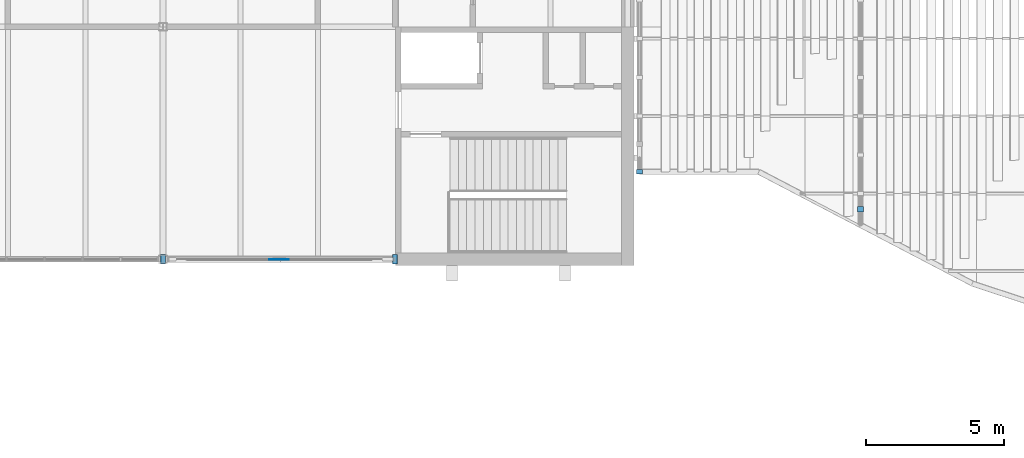
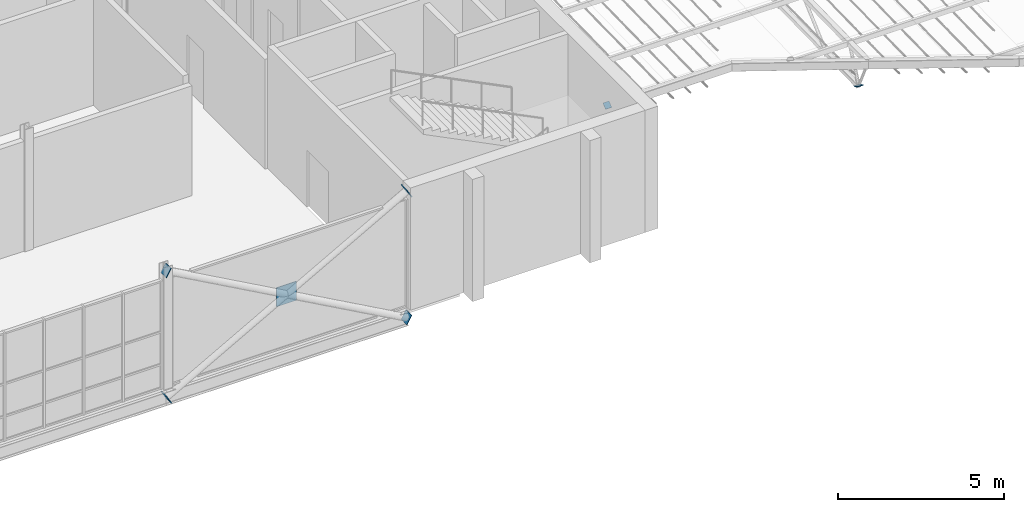
# One storey, part 99 of 129: 7 discrete accessories.
"""IFC4 building model written with IfcOpenShell, lengths in metres."""

from ifc_helpers import new_model, si_unit, direction, frame, origin, origin_2d, place, context, subcontext, project, spatial, rectangle, extrude, material, material_profile, profile_set, type_object, element, save


model = new_model("IFC4")

# Units and contexts
model_context = context("Model", 3, precision=1e-05, world=origin(), true_north=direction((0.0, 1.0)))
body_context = subcontext(model_context, "Body", "Model", "MODEL_VIEW")
ifc_project = project(units=[si_unit("LENGTHUNIT", "METRE"), si_unit("AREAUNIT", "SQUARE_METRE"), si_unit("VOLUMEUNIT", "CUBIC_METRE"), si_unit("PLANEANGLEUNIT", "RADIAN"), si_unit("MASSUNIT", "GRAM", prefix="KILO")], contexts=[model_context])

# Site, building, storey
site_placement = place(None, origin())
site = spatial("IfcSite", under=ifc_project, at=site_placement, CompositionType="ELEMENT")
building_placement = place(site_placement, origin())
building = spatial("IfcBuilding", under=site, at=building_placement, Name="Ardhachandra Cancer Care Centre", CompositionType="ELEMENT")
storey_placement = place(building_placement, frame((0.0, 0.0, 4.5)))
storey = spatial("IfcBuildingStorey", under=building, at=storey_placement, Name="L01", CompositionType="ELEMENT", Elevation=4.5)

# Discrete accessories
ifc_material_1 = material(Name="Steel E250 (IS 2062)", Category="steel")
ifc_material_profile_1 = material_profile(ifc_material_1, rectangle(XDim=0.344482421875, YDim=0.344482421875, at=origin_2d()), Name="PL 344x344x20")
ifc_profile_set_1 = profile_set([ifc_material_profile_1], Name="Steel E250 (IS 2062)")
discrete_accessory_type_1 = type_object("IfcDiscreteAccessoryType", Name="Brace end plate 344 x 344 x 20", PredefinedType="BRACKET", material=ifc_profile_set_1)
discrete_accessory_1_placement = place(storey_placement, frame((27.60009765625, 29.39990234375, -0.39990234375), z_axis=(0.876476417999, 0.0, 0.481444792985), x_axis=(0.0, 1.0, 0.0)))
element("IfcDiscreteAccessory", 1, at=discrete_accessory_1_placement, inside=storey, type_object=discrete_accessory_type_1, Name="Brace end plate V2-X294-276 L01 A0", PredefinedType="BRACKET", context=body_context, shape_type="SweptSolid", body=[
    extrude(rectangle(XDim=0.344482421875, YDim=0.344482421875, at=origin_2d()), origin(), (0.0, 0.0, 1.0), 0.019775390625),
])
for number, where, z_axis, x_axis, name in (
    (2, (36.0, 29.39990234375, 4.27197265625), (-0.874157276122, 0.0, -0.485642931179), (0.0, -1.0, 0.0), "Brace end plate V2-X294-276 L01 A1"),
    (3, (36.0, 29.39990234375, -0.39990234375), (-0.879291966537, 0.0, 0.476283148541), (0.0, -1.0, 0.0), "Brace end plate V2-X294-276 L01 B10"),
):
    element("IfcDiscreteAccessory", number, at=place(storey_placement, frame(where, z_axis=z_axis, x_axis=x_axis)), inside=storey, type_object=discrete_accessory_type_1, Name=name, PredefinedType="BRACKET", context=body_context, shape_type="SweptSolid", body=[
        extrude(rectangle(XDim=0.344482421875, YDim=0.344482421875, at=origin_2d()), origin(), (0.0, 0.0, 1.0), 0.02001953125),
    ])
discrete_accessory_2_placement = place(storey_placement, frame((27.60009765625, 29.39990234375, 4.27197265625), z_axis=(0.871247627745, 0.0, -0.490843733941), x_axis=(0.0, 1.0, 0.0)))
element("IfcDiscreteAccessory", 4, at=discrete_accessory_2_placement, inside=storey, type_object=discrete_accessory_type_1, Name="Brace end plate V2-X294-276 L01 B21", PredefinedType="BRACKET", context=body_context, shape_type="SweptSolid", body=[
    extrude(rectangle(XDim=0.344482421875, YDim=0.344482421875, at=origin_2d()), origin(), (0.0, 0.0, 1.0), 0.019775390625),
])
ifc_material_2 = material(Name="Steel E250 (IS 2062)", Category="steel")
ifc_material_profile_2 = material_profile(ifc_material_2, rectangle(XDim=0.699951171875, YDim=0.699951171875, at=origin_2d()), Name="PL 700x700x20")
ifc_profile_set_2 = profile_set([ifc_material_profile_2], Name="Steel E250 (IS 2062)")
discrete_accessory_type_2 = type_object("IfcDiscreteAccessoryType", Name="Brace node plate 700 x 700 x 20", PredefinedType="BRACKET", material=ifc_profile_set_2)
discrete_accessory_3_placement = place(storey_placement, frame((31.800048828125, 29.389892578125, 1.93603515625), z_axis=(0.0, 1.0, 0.0), x_axis=(-1.0, 0.0, 0.0)))
element("IfcDiscreteAccessory", 5, at=discrete_accessory_3_placement, inside=storey, type_object=discrete_accessory_type_2, Name="Brace node plate V2-X294-276 L01", PredefinedType="BRACKET", context=body_context, shape_type="SweptSolid", body=[
    extrude(rectangle(XDim=0.699951171875, YDim=0.699951171875, at=origin_2d()), origin(), (0.0, 0.0, 1.0), 0.02001953125),
])
ifc_material_3 = material(Name="Steel E250 (IS 2062)", Category="steel")
ifc_material_profile_3 = material_profile(ifc_material_3, rectangle(XDim=0.21435546875, YDim=0.21435546875, at=origin_2d()), Name="PL 214x214x12")
ifc_profile_set_3 = profile_set([ifc_material_profile_3], Name="Steel E250 (IS 2062)")
discrete_accessory_type_3 = type_object("IfcDiscreteAccessoryType", Name="Diagonal end plate 214 x 214 x 12", PredefinedType="BRACKET", material=ifc_profile_set_3)
discrete_accessory_4_placement = place(storey_placement, frame((44.81494140625, 32.557373046875, 2.421142578125), z_axis=(0.0, 0.644135745783, -0.764911198117), x_axis=(-1.0, 0.0, 0.0)))
element("IfcDiscreteAccessory", 6, at=discrete_accessory_4_placement, inside=storey, type_object=discrete_accessory_type_3, Name="Diagonal end plate Canopy truss 1 web diagonal WD33 2", PredefinedType="BRACKET", context=body_context, shape_type="SweptSolid", body=[
    extrude(rectangle(XDim=0.21435546875, YDim=0.21435546875, at=origin_2d()), origin(), (0.0, 0.0, 1.0), 0.01220703125),
])
discrete_accessory_5_placement = place(storey_placement, frame((52.800048828125, 31.208984375, 1.1591796875), z_axis=(0.0, 0.406138466053, 0.91381154862), x_axis=(-1.0, 0.0, 0.0)))
element("IfcDiscreteAccessory", 7, at=discrete_accessory_5_placement, inside=storey, type_object=discrete_accessory_type_3, Name="Diagonal end plate Canopy truss 2 web diagonal WD35 2", PredefinedType="BRACKET", context=body_context, shape_type="SweptSolid", body=[
    extrude(rectangle(XDim=0.21435546875, YDim=0.21435546875, at=origin_2d()), origin(), (0.0, 0.0, 1.0), 0.011962890625),
])

save(model, "model.ifc")
